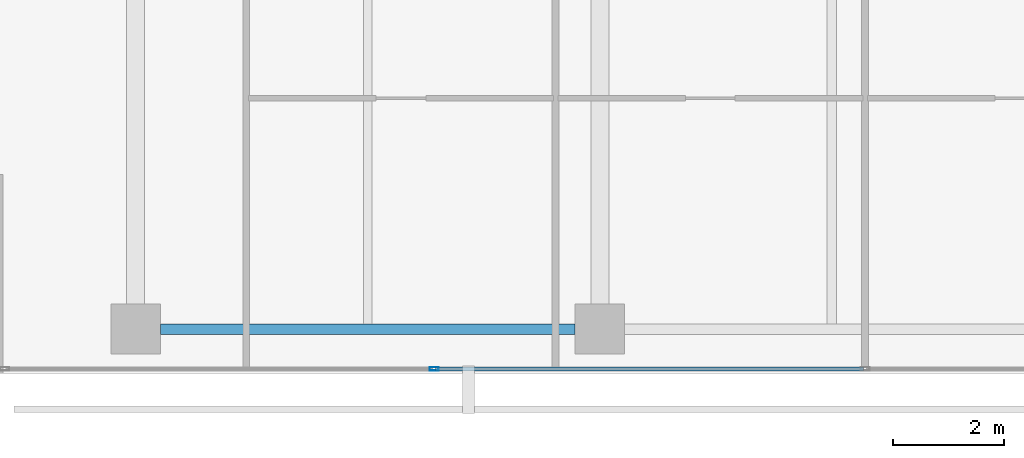
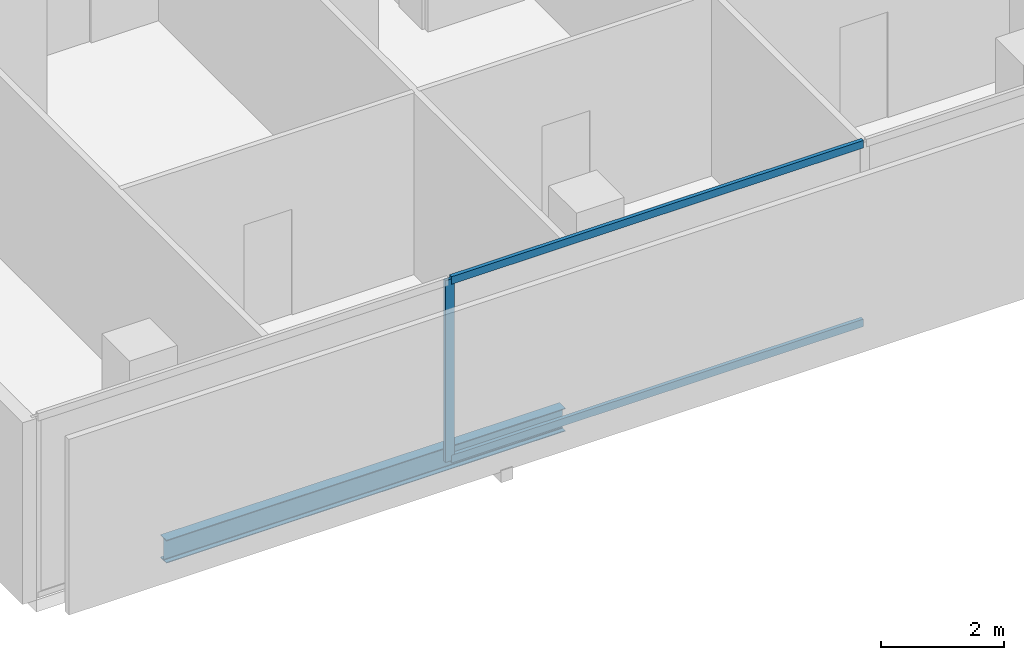
# One storey, part 3 of 40: 3 members, 1 beam, 1 element without a shape of its own.
"""IFC4 building model written with IfcOpenShell, lengths in metres."""

from ifc_helpers import new_model, si_unit, direction, frame, origin, origin_2d, place, context, subcontext, project, spatial, hollow_rectangle, i_section, extrude, material, layer, layer_set, material_profile, profile_set, type_object, element, aggregate, save


model = new_model("IFC4")

# Units and contexts
model_context = context("Model", 3, precision=1e-05, world=origin(), true_north=direction((0.0, 1.0)))
body_context = subcontext(model_context, "Body", "Model", "MODEL_VIEW")
ifc_project = project(units=[si_unit("LENGTHUNIT", "METRE"), si_unit("AREAUNIT", "SQUARE_METRE"), si_unit("VOLUMEUNIT", "CUBIC_METRE"), si_unit("PLANEANGLEUNIT", "RADIAN"), si_unit("MASSUNIT", "GRAM", prefix="KILO")], contexts=[model_context])

# Site, building, storey
site_placement = place(None, origin())
site = spatial("IfcSite", under=ifc_project, at=site_placement, CompositionType="ELEMENT")
building_placement = place(site_placement, origin())
building = spatial("IfcBuilding", under=site, at=building_placement, Name="Maruvema Waterfront Hotel and Observation Tower", CompositionType="ELEMENT")
storey_placement = place(building_placement, frame((0.0, 0.0, 53.89990234375)))
storey = spatial("IfcBuildingStorey", under=building, at=storey_placement, Name="L12", CompositionType="ELEMENT", Elevation=53.89990234375)

# Curtain wall, members
ifc_material_1 = material(Name="Anodised bronze aluminium and solar-control low-E IGU", Category="aluminium")
ifc_layer = layer(ifc_material_1, 0.159912109375, Name="Zone 1 Bronze Inner Thermal Curtain Wall System CW-02")
ifc_layer_set = layer_set([ifc_layer], Name="Anodised bronze aluminium and solar-control low-E IGU")
curtain_wall_type = type_object("IfcCurtainWallType", Name="Zone 1 Bronze Inner Thermal Curtain Wall System CW-02", PredefinedType="USERDEFINED", material=ifc_layer_set)
curtain_wall_placement = place(storey_placement, origin())
curtain_wall = element("IfcCurtainWall", 1, at=curtain_wall_placement, inside=storey, type_object=curtain_wall_type, Name="L12 Curtain Wall CW-L12-S", ObjectType="UNITISED CURTAIN WALL", PredefinedType="USERDEFINED")
ifc_material_2 = material(Name="Anodised architectural bronze aluminium", Category="aluminium")
ifc_material_profile_1 = material_profile(ifc_material_2, hollow_rectangle(XDim=0.070068359375, YDim=0.14990234375, WallThickness=0.00390625, at=origin_2d()), Name="ALU-T70x150")
ifc_profile_set_1 = profile_set([ifc_material_profile_1], Name="Anodised architectural bronze aluminium")
member_type_1 = type_object("IfcMemberType", Name="Curtain Wall Horizontal Transom ALU-T70x150", PredefinedType="USERDEFINED", material=ifc_profile_set_1)
member_1_placement = place(storey_placement, frame((22.22998046875, 0.080078125, 0.030029296875), z_axis=(1.0, 0.0, 0.0), x_axis=(0.0, 1.0, 0.0)))
member_1 = element("IfcMember", 2, at=member_1_placement, type_object=member_type_1, Name="CW-02 transom 2.1", ObjectType="TRANSOM", PredefinedType="USERDEFINED", context=body_context, shape_type="SweptSolid", body=[
    extrude(hollow_rectangle(XDim=0.070068359375, YDim=0.14990234375, WallThickness=0.00390625, at=origin_2d()), origin(), (0.0, 0.0, 1.0), 7.739990234375),
])
member_2_placement = place(storey_placement, frame((22.22998046875, 0.080078125, 3.580078125), z_axis=(1.0, 0.0, 0.0), x_axis=(0.0, 1.0, 0.0)))
member_2 = element("IfcMember", 3, at=member_2_placement, type_object=member_type_1, Name="CW-02 transom 2.2", ObjectType="TRANSOM", PredefinedType="USERDEFINED", context=body_context, shape_type="SweptSolid", body=[
    extrude(hollow_rectangle(XDim=0.070068359375, YDim=0.14990234375, WallThickness=0.00390625, at=origin_2d()), origin(), (0.0, 0.0, 1.0), 7.739990234375),
])
ifc_material_3 = material(Name="Anodised architectural bronze aluminium", Category="aluminium")
ifc_material_profile_2 = material_profile(ifc_material_3, hollow_rectangle(XDim=0.06494140625, YDim=0.1650390625, WallThickness=0.00390625, at=origin_2d()), Name="ALU-M65x165")
ifc_profile_set_2 = profile_set([ifc_material_profile_2], Name="Anodised architectural bronze aluminium")
member_type_2 = type_object("IfcMemberType", Name="Curtain Wall Primary Mullion ALU-M65x165", PredefinedType="MULLION", material=ifc_profile_set_2)
member_3_placement = place(storey_placement, frame((22.199951171875, 0.080078125, 0.0), z_axis=(0.0, 0.0, 1.0), x_axis=(0.0, 1.0, 0.0)))
member_3 = element("IfcMember", 4, at=member_3_placement, type_object=member_type_2, Name="CW-02 mullion 2", PredefinedType="MULLION", context=body_context, shape_type="SweptSolid", body=[
    extrude(hollow_rectangle(XDim=0.06494140625, YDim=0.1650390625, WallThickness=0.00390625, at=origin_2d()), origin(), (0.0, 0.0, 1.0), 3.610107421875),
])
aggregate(curtain_wall, [member_3, member_1, member_2])

# Beam
ifc_material_4 = material(Name="Steel ASTM A572 Grade 50", Category="steel")
ifc_material_profile_3 = material_profile(ifc_material_4, i_section(OverallWidth=0.18994140625, OverallDepth=0.45703125, WebThickness=0.009033203125, FlangeThickness=0.014404296875, FilletRadius=0.014892578125, at=origin_2d()), Name="W460x74.0")
ifc_profile_set_3 = profile_set([ifc_material_profile_3], Name="Steel ASTM A572 Grade 50")
beam_type = type_object("IfcBeamType", Name="Perimeter Spandrel Beam W460x74.0", PredefinedType="SPANDREL", material=ifc_profile_set_3)
beam_placement = place(storey_placement, frame((17.25, 0.800048828125, -0.468505859375), z_axis=(1.0, 0.0, 0.0), x_axis=(0.0, 1.0, 0.0)))
element("IfcBeam", 5, at=beam_placement, inside=storey, type_object=beam_type, Name="L12 Floor Girder EW-01", PredefinedType="SPANDREL", context=body_context, shape_type="SweptSolid", body=[
    extrude(i_section(OverallWidth=0.18994140625, OverallDepth=0.45703125, WebThickness=0.009033203125, FlangeThickness=0.014404296875, FilletRadius=0.014892578125, at=origin_2d()), origin(), (0.0, 0.0, 1.0), 7.5),
])

save(model, "model.ifc")
